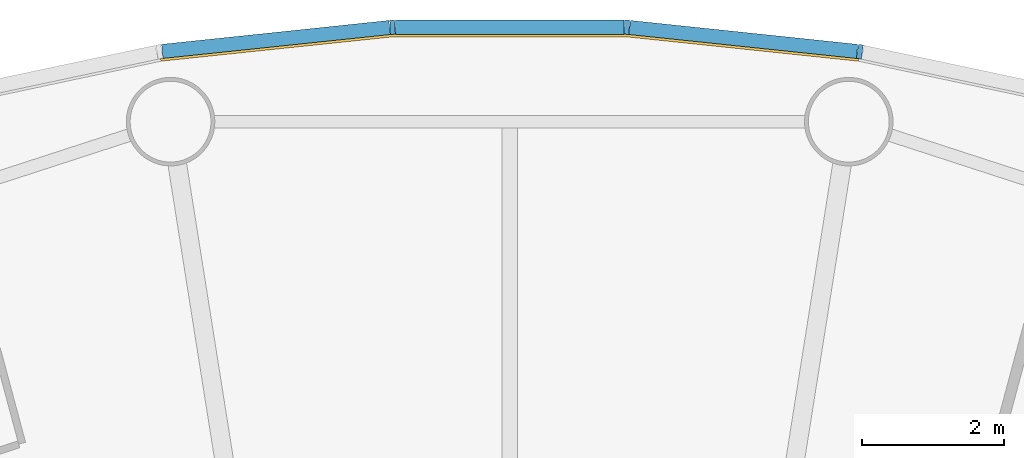
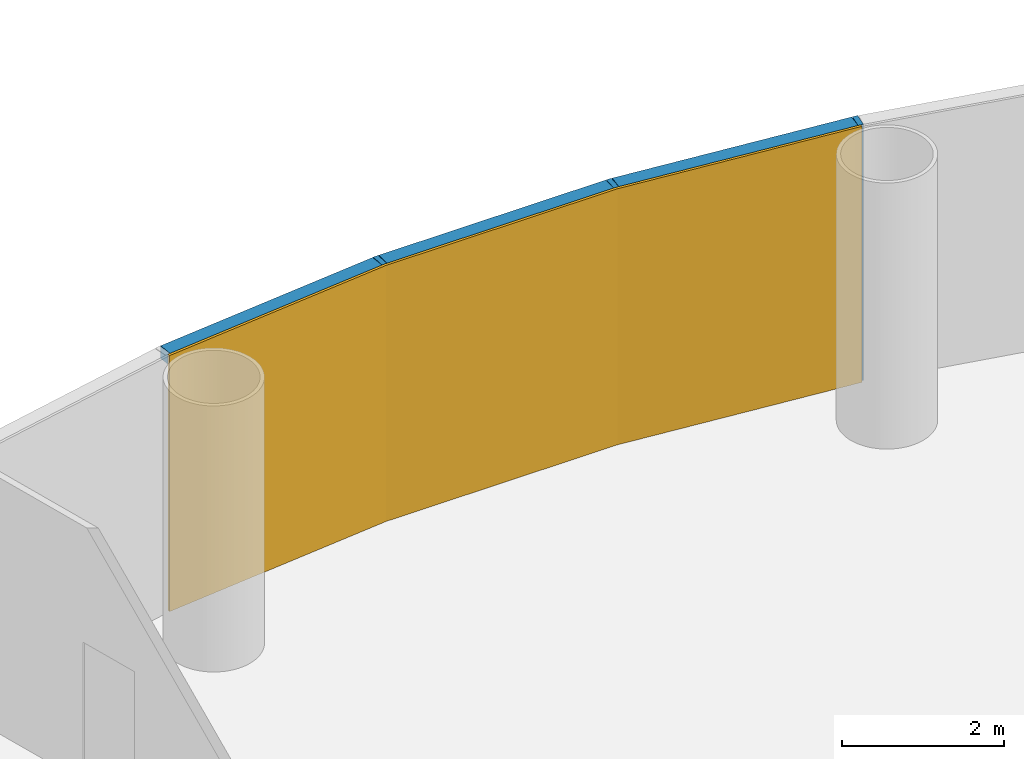
# One storey, part 11 of 13: 6 members, 1 curtain wall.
"""IFC4 building model written with IfcOpenShell, lengths in metres."""

from ifc_helpers import new_model, si_unit, direction, frame, origin, origin_2d, place, context, subcontext, project, spatial, polyline, rectangle, outline, extrude, material, layer, layer_set, material_profile, profile_set, type_object, element, aggregate, save


model = new_model("IFC4")

# Units and contexts
model_context = context("Model", 3, precision=1e-05, world=origin(), true_north=direction((0.0, 1.0)))
body_context = subcontext(model_context, "Body", "Model", "MODEL_VIEW")
ifc_project = project(units=[si_unit("LENGTHUNIT", "METRE"), si_unit("AREAUNIT", "SQUARE_METRE"), si_unit("VOLUMEUNIT", "CUBIC_METRE"), si_unit("PLANEANGLEUNIT", "RADIAN"), si_unit("MASSUNIT", "GRAM", prefix="KILO")], contexts=[model_context])

# Member
ifc_material_1 = material(Name="Anodised aluminium", Category="aluminium")
ifc_material_profile_1 = material_profile(ifc_material_1, rectangle(XDim=0.070068359375, YDim=0.199951171875, at=origin_2d()), Name="Mullion 70 x 200 mm anodised aluminium")
ifc_profile_set_1 = profile_set([ifc_material_profile_1], Name="Anodised aluminium")
member_type_1 = type_object("IfcMemberType", Name="Mullion 70 x 200 mm anodised aluminium", PredefinedType="MULLION", material=ifc_profile_set_1)
site_placement = place(None, origin())
building_placement = place(site_placement, origin())
storey_placement = place(building_placement, frame((0.0, 0.0, 100.0)))
member_1_placement = place(storey_placement, frame((94.943359375, 111.2109375, 0.0), z_axis=(0.0, 0.0, 1.0), x_axis=(-0.987688340595, 0.15643446504, 0.0)))
member_1 = element("IfcMember", 1, at=member_1_placement, type_object=member_type_1, Name="MULLION L22-12", PredefinedType="MULLION", context=body_context, shape_type="SweptSolid", body=[
    extrude(rectangle(XDim=0.070068359375, YDim=0.199951171875, at=origin_2d()), origin(), (0.0, 0.0, 1.0), 3.85009765625),
])

member_2_placement = place(storey_placement, frame((91.65380859375, 111.556640625, 0.0), z_axis=(0.0, 0.0, 1.0), x_axis=(-0.998629534755, 0.052335956243, 0.0)))
member_2 = element("IfcMember", 2, at=member_2_placement, type_object=member_type_1, Name="MULLION L22-13", PredefinedType="MULLION", context=body_context, shape_type="SweptSolid", body=[
    extrude(rectangle(XDim=0.070068359375, YDim=0.199951171875, at=origin_2d()), origin(), (0.0, 0.0, 1.0), 3.85009765625),
])

member_3_placement = place(storey_placement, frame((88.34619140625, 111.556640625, 0.0), z_axis=(0.0, 0.0, 1.0), x_axis=(-0.998629534755, -0.052335956243, 0.0)))
member_3 = element("IfcMember", 3, at=member_3_placement, type_object=member_type_1, Name="MULLION L22-14", PredefinedType="MULLION", context=body_context, shape_type="SweptSolid", body=[
    extrude(rectangle(XDim=0.070068359375, YDim=0.199951171875, at=origin_2d()), origin(), (0.0, 0.0, 1.0), 3.85009765625),
])

ifc_material_2 = material(Name="Anodised aluminium", Category="aluminium")
ifc_material_profile_2 = material_profile(ifc_material_2, rectangle(XDim=0.199951171875, YDim=0.18994140625, at=origin_2d()), Name="Transom 190 x 200 mm anodised aluminium")
ifc_profile_set_2 = profile_set([ifc_material_profile_2], Name="Anodised aluminium")
member_type_2 = type_object("IfcMemberType", Name="Transom 190 x 200 mm anodised aluminium", PredefinedType="USERDEFINED", material=ifc_profile_set_2)
member_4_placement = place(storey_placement, frame((94.9033203125, 111.21533203125, 3.7548828125), z_axis=(-0.994519537956, 0.104550890115, 0.0), x_axis=(-0.104550890115, -0.994519537956, 0.0)))
member_4 = element("IfcMember", 4, at=member_4_placement, type_object=member_type_2, Name="TRANSOM L22-12", ObjectType="TRANSOM", PredefinedType="USERDEFINED", context=body_context, shape_type="SweptSolid", body=[
    extrude(rectangle(XDim=0.199951171875, YDim=0.18994140625, at=origin_2d()), origin(), (0.0, 0.0, 1.0), 3.22705078125),
])

member_5_placement = place(storey_placement, frame((91.613525390625, 111.556884765625, 3.7548828125), z_axis=(-1.0, 0.0, 0.0), x_axis=(0.0, -1.0, 0.0)))
member_5 = element("IfcMember", 5, at=member_5_placement, type_object=member_type_2, Name="TRANSOM L22-13", ObjectType="TRANSOM", PredefinedType="USERDEFINED", context=body_context, shape_type="SweptSolid", body=[
    extrude(rectangle(XDim=0.199951171875, YDim=0.18994140625, at=origin_2d()), origin(), (0.0, 0.0, 1.0), 3.22705078125),
])

member_6_placement = place(storey_placement, frame((88.30615234375, 111.552734375, 3.7548828125), z_axis=(-0.994519537956, -0.104550890115, 0.0), x_axis=(0.104550890115, -0.994519537956, 0.0)))
member_6 = element("IfcMember", 6, at=member_6_placement, type_object=member_type_2, Name="TRANSOM L22-14", ObjectType="TRANSOM", PredefinedType="USERDEFINED", context=body_context, shape_type="SweptSolid", body=[
    extrude(rectangle(XDim=0.199951171875, YDim=0.18994140625, at=origin_2d()), origin(), (0.0, 0.0, 1.0), 3.22705078125),
])

# Site, building, storey
site = spatial("IfcSite", under=ifc_project, at=site_placement, CompositionType="ELEMENT")
building = spatial("IfcBuilding", under=site, at=building_placement, Name="Entoto Ring Tower", CompositionType="ELEMENT")
storey = spatial("IfcBuildingStorey", under=building, at=storey_placement, Name="L22", CompositionType="ELEMENT", Elevation=100.0)

# Curtain wall
ifc_material_3 = material(Name="Clear low-iron glass", Category="glass")
ifc_layer = layer(ifc_material_3, 0.035888671875)
ifc_layer_set = layer_set([ifc_layer], Name="Clear low-iron glass")
curtain_wall_type = type_object("IfcCurtainWallType", Name="Curtain wall system CW2 glazing 36 mm", PredefinedType="NOTDEFINED", material=ifc_layer_set)
curtain_wall_placement = place(storey_placement, origin())
curtain_wall = element("IfcCurtainWall", 7, at=curtain_wall_placement, inside=storey, type_object=curtain_wall_type, Name="CW2 L22-05", PredefinedType="NOTDEFINED", context=body_context, shape_type="SweptSolid", body=[
    extrude(outline(polyline([(94.927734375, 111.1123046875), (91.648681640625, 111.456787109375), (88.351318359375, 111.456787109375), (85.072265625, 111.1123046875), (85.077880859375, 111.07666015625), (88.353271484375, 111.4208984375), (91.646728515625, 111.4208984375), (94.922119140625, 111.07666015625), (94.927734375, 111.1123046875)])), origin(), (0.0, 0.0, 1.0), 3.85009765625),
])

aggregate(curtain_wall, [member_1, member_2, member_3, member_4, member_5, member_6])

save(model, "model.ifc")
